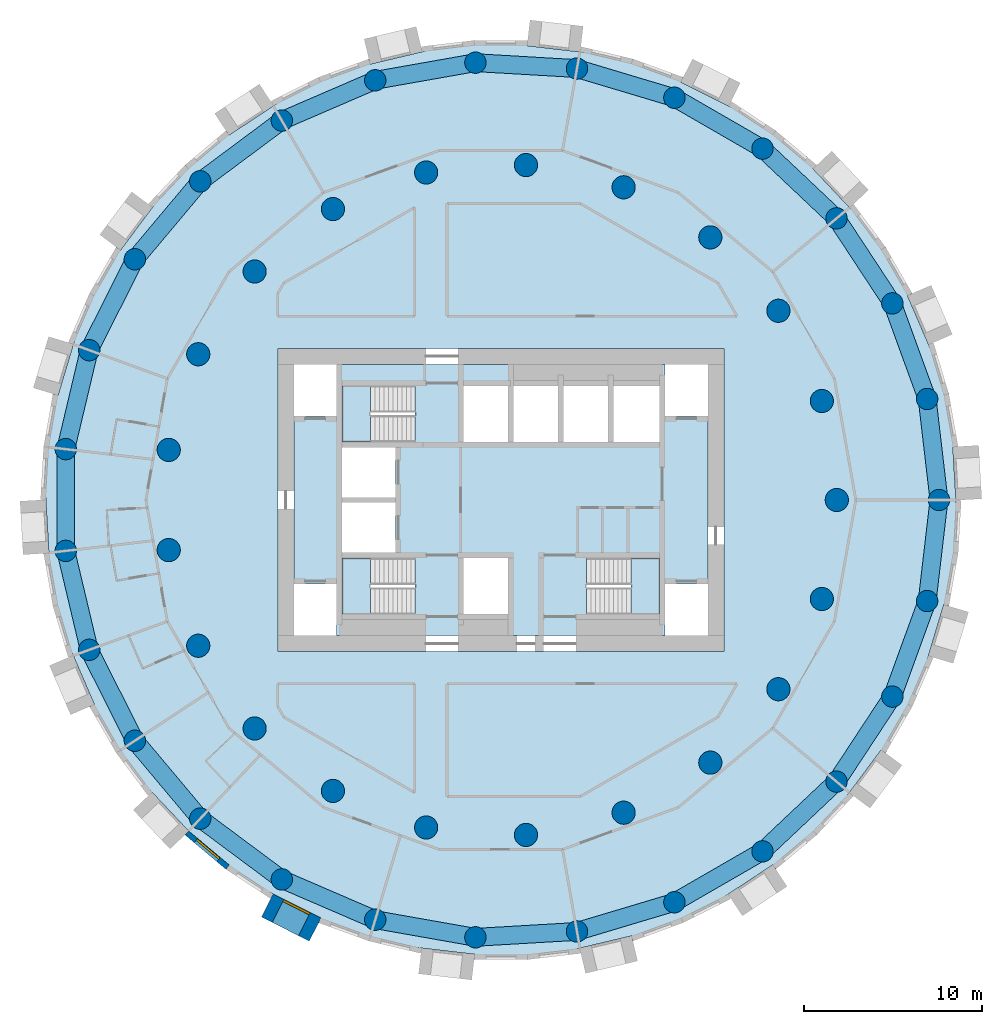
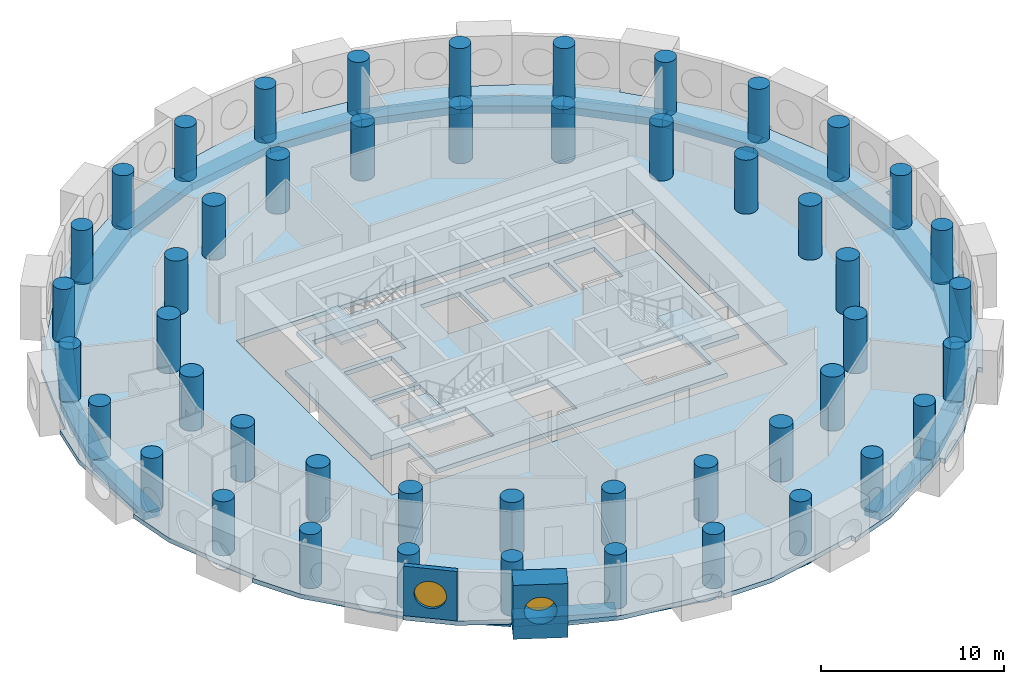
# One storey, part 1 of 9: 48 columns, 27 beams, 5 slabs, 2 walls, 2 windows, 2 openings, 3 elements without a shape of their own.
"""IFC4 building model written with IfcOpenShell, lengths in metres."""

from ifc_helpers import new_model, si_unit, direction, frame, frame_2d, origin, origin_2d, place, context, subcontext, project, spatial, polyline, rectangle, circle, outline, extrude, material, layer, layer_set, material_profile, profile_set, type_object, element, fill, aggregate, save


model = new_model("IFC4")

# Units and contexts
model_context = context("Model", 3, precision=1e-05, world=origin(), true_north=direction((0.0, 1.0)))
body_context = subcontext(model_context, "Body", "Model", "MODEL_VIEW")
ifc_project = project(units=[si_unit("LENGTHUNIT", "METRE"), si_unit("AREAUNIT", "SQUARE_METRE"), si_unit("VOLUMEUNIT", "CUBIC_METRE"), si_unit("PLANEANGLEUNIT", "RADIAN"), si_unit("MASSUNIT", "GRAM", prefix="KILO")], contexts=[model_context])

# Site, building, storey
site_placement = place(None, origin())
site = spatial("IfcSite", under=ifc_project, at=site_placement, CompositionType="ELEMENT")
building_placement = place(site_placement, origin())
building = spatial("IfcBuilding", under=site, at=building_placement, Name="Tracery Tower", CompositionType="ELEMENT")
storey_placement = place(building_placement, frame((0.0, 0.0, 201.60009765625)))
storey = spatial("IfcBuildingStorey", under=building, at=storey_placement, Name="L52", CompositionType="ELEMENT", Elevation=201.60009765625)

# Columns
ifc_material_1 = material(Name="Concrete C50/60", Category="concrete")
ifc_material_profile_1 = material_profile(ifc_material_1, circle(Radius=0.60009765625, at=origin_2d()), Name="RC D1200")
ifc_profile_set_1 = profile_set([ifc_material_profile_1], Name="Concrete C50/60")
column_type_1 = type_object("IfcColumnType", Name="Ring 1 column 1200", PredefinedType="COLUMN", material=ifc_profile_set_1)
for number, where, z_axis, x_axis, name in (
    (1, (24.547607421875, 0.0, 0.0), (0.0, 0.0, 1.0), (1.0, 0.0, 0.0), "Ring 1 column 00 at L52"),
    (2, (23.885986328125, 5.6611328125, 0.0), (0.0, 0.0, 1.0), (1.0, 0.0, 0.0), "Ring 1 column 01 at L52"),
    (3, (21.9365234375, 11.01708984375, 0.0), (0.0, 0.0, 1.0), (1.0, 0.0, 0.0), "Ring 1 column 02 at L52"),
    (4, (18.8046875, 15.779052734375, 0.0), (0.0, 0.0, 1.0), (1.0, 0.0, 0.0), "Ring 1 column 03 at L52"),
    (5, (14.658935546875, 19.690185546875, 0.0), (0.0, 0.0, 1.0), (1.0, 0.0, 0.0), "Ring 1 column 04 at L52"),
    (6, (9.722900390625, 22.5400390625, 0.0), (0.0, 0.0, 1.0), (1.0, 0.0, 0.0), "Ring 1 column 05 at L52"),
    (7, (4.2626953125, 24.1748046875, 0.0), (0.0, 0.0, 1.0), (1.0, 0.0, 0.0), "Ring 1 column 06 at L52"),
    (8, (-1.42724609375, 24.506103515625, 0.0), (0.0, 0.0, 1.0), (1.0, 0.0, 0.0), "Ring 1 column 07 at L52"),
    (9, (-7.040283203125, 23.516357421875, 0.0), (0.0, 0.0, 1.0), (1.0, 0.0, 0.0), "Ring 1 column 08 at L52"),
    (10, (-12.273681640625, 21.2587890625, 0.0), (0.0, 0.0, 1.0), (1.0, 0.0, 0.0), "Ring 1 column 09 at L52"),
    (11, (-16.845703125, 17.855224609375, 0.0), (0.0, 0.0, 1.0), (1.0, 0.0, 0.0), "Ring 1 column 10 at L52"),
    (12, (-20.50927734375, 13.4892578125, 0.0), (0.0, 0.0, 1.0), (1.0, 0.0, 0.0), "Ring 1 column 11 at L52"),
    (13, (-23.0673828125, 8.395751953125, 0.0), (0.0, 0.0, 1.0), (1.0, 0.0, 0.0), "Ring 1 column 12 at L52"),
    (14, (-24.381591796875, 2.849853515625, 0.0), (0.0, 0.0, 1.0), (1.0, 0.0, 0.0), "Ring 1 column 13 at L52"),
    (15, (-24.381591796875, -2.849853515625, 0.0), (0.0, 0.0, 1.0), (1.0, 0.0, 0.0), "Ring 1 column 14 at L52"),
    (16, (-23.0673828125, -8.395751953125, 0.0), (0.0, 0.0, 1.0), (1.0, 0.0, 0.0), "Ring 1 column 15 at L52"),
    (17, (-20.50927734375, -13.4892578125, 0.0), (0.0, 0.0, 1.0), (1.0, 0.0, 0.0), "Ring 1 column 16 at L52"),
    (18, (-16.845703125, -17.85546875, 0.0), (0.0, 0.0, 1.0), (1.0, 0.0, 0.0), "Ring 1 column 17 at L52"),
    (19, (-12.27392578125, -21.2587890625, 0.0), (0.0, 0.0, 1.0), (1.0, 0.0, 0.0), "Ring 1 column 18 at L52"),
    (20, (-7.040283203125, -23.516357421875, 0.0), (0.0, 0.0, 1.0), (1.0, 0.0, 0.0), "Ring 1 column 19 at L52"),
    (21, (-1.42724609375, -24.506103515625, 0.0), (0.0, 0.0, 1.0), (1.0, 0.0, 0.0), "Ring 1 column 20 at L52"),
    (22, (4.2626953125, -24.1748046875, 0.0), (0.0, 0.0, 1.0), (1.0, 0.0, 0.0), "Ring 1 column 21 at L52"),
    (23, (9.722900390625, -22.5400390625, 0.0), (0.0, 0.0, 1.0), (1.0, 0.0, 0.0), "Ring 1 column 22 at L52"),
    (24, (14.658935546875, -19.690185546875, 0.0), (0.0, 0.0, 1.0), (1.0, 0.0, 0.0), "Ring 1 column 23 at L52"),
    (25, (18.8046875, -15.779052734375, 0.0), (0.0, 0.0, 1.0), (1.0, 0.0, 0.0), "Ring 1 column 24 at L52"),
    (26, (21.9365234375, -11.01708984375, 0.0), (0.0, 0.0, 1.0), (1.0, 0.0, 0.0), "Ring 1 column 25 at L52"),
    (27, (23.885986328125, -5.6611328125, 0.0), (0.0, 0.0, 1.0), (1.0, 0.0, 0.0), "Ring 1 column 26 at L52"),
):
    element("IfcColumn", number, at=place(storey_placement, frame(where, z_axis=z_axis, x_axis=x_axis)), inside=storey, type_object=column_type_1, Name=name, PredefinedType="COLUMN", context=body_context, shape_type="SweptSolid", body=[
        extrude(circle(Radius=0.60009765625, at=origin_2d()), origin(), (0.0, 0.0, 1.0), 3.599853515625),
    ])
ifc_material_2 = material(Name="Concrete C50/60", Category="concrete")
ifc_material_profile_2 = material_profile(ifc_material_2, circle(Radius=0.64990234375, at=origin_2d()), Name="RC D1300")
ifc_profile_set_2 = profile_set([ifc_material_profile_2], Name="Concrete C50/60")
column_type_2 = type_object("IfcColumnType", Name="Ring 2 column 1300", PredefinedType="COLUMN", material=ifc_profile_set_2)
for number, where, z_axis, x_axis, name in (
    (28, (18.822265625, 0.0, 0.0), (0.0, 0.0, 1.0), (1.0, 0.0, 0.0), "Ring 2 column 00 at L52"),
    (29, (17.986083984375, 5.5478515625, 0.0), (0.0, 0.0, 1.0), (1.0, 0.0, 0.0), "Ring 2 column 01 at L52"),
    (30, (15.551513671875, 10.602783203125, 0.0), (0.0, 0.0, 1.0), (1.0, 0.0, 0.0), "Ring 2 column 02 at L52"),
    (31, (11.7353515625, 14.7158203125, 0.0), (0.0, 0.0, 1.0), (1.0, 0.0, 0.0), "Ring 2 column 03 at L52"),
    (32, (6.87646484375, 17.52099609375, 0.0), (0.0, 0.0, 1.0), (1.0, 0.0, 0.0), "Ring 2 column 04 at L52"),
    (33, (1.406494140625, 18.76953125, 0.0), (0.0, 0.0, 1.0), (1.0, 0.0, 0.0), "Ring 2 column 05 at L52"),
    (34, (-4.188232421875, 18.350341796875, 0.0), (0.0, 0.0, 1.0), (1.0, 0.0, 0.0), "Ring 2 column 06 at L52"),
    (35, (-9.4111328125, 16.300537109375, 0.0), (0.0, 0.0, 1.0), (1.0, 0.0, 0.0), "Ring 2 column 07 at L52"),
    (36, (-13.797607421875, 12.802490234375, 0.0), (0.0, 0.0, 1.0), (1.0, 0.0, 0.0), "Ring 2 column 08 at L52"),
    (37, (-16.958251953125, 8.16650390625, 0.0), (0.0, 0.0, 1.0), (1.0, 0.0, 0.0), "Ring 2 column 09 at L52"),
    (38, (-18.612060546875, 2.805419921875, 0.0), (0.0, 0.0, 1.0), (1.0, 0.0, 0.0), "Ring 2 column 10 at L52"),
    (39, (-18.612060546875, -2.805419921875, 0.0), (0.0, 0.0, 1.0), (1.0, 0.0, 0.0), "Ring 2 column 11 at L52"),
    (40, (-16.958251953125, -8.166748046875, 0.0), (0.0, 0.0, 1.0), (1.0, 0.0, 0.0), "Ring 2 column 12 at L52"),
    (41, (-13.797607421875, -12.80224609375, 0.0), (0.0, 0.0, 1.0), (1.0, 0.0, 0.0), "Ring 2 column 13 at L52"),
    (42, (-9.4111328125, -16.300537109375, 0.0), (0.0, 0.0, 1.0), (1.0, 0.0, 0.0), "Ring 2 column 14 at L52"),
    (43, (-4.188232421875, -18.350341796875, 0.0), (0.0, 0.0, 1.0), (1.0, 0.0, 0.0), "Ring 2 column 15 at L52"),
    (44, (1.406494140625, -18.76953125, 0.0), (0.0, 0.0, 1.0), (1.0, 0.0, 0.0), "Ring 2 column 16 at L52"),
    (45, (6.87646484375, -17.52099609375, 0.0), (0.0, 0.0, 1.0), (1.0, 0.0, 0.0), "Ring 2 column 17 at L52"),
    (46, (11.7353515625, -14.7158203125, 0.0), (0.0, 0.0, 1.0), (1.0, 0.0, 0.0), "Ring 2 column 18 at L52"),
    (47, (15.551513671875, -10.602783203125, 0.0), (0.0, 0.0, 1.0), (1.0, 0.0, 0.0), "Ring 2 column 19 at L52"),
    (48, (17.986083984375, -5.5478515625, 0.0), (0.0, 0.0, 1.0), (1.0, 0.0, 0.0), "Ring 2 column 20 at L52"),
):
    element("IfcColumn", number, at=place(storey_placement, frame(where, z_axis=z_axis, x_axis=x_axis)), inside=storey, type_object=column_type_2, Name=name, PredefinedType="COLUMN", context=body_context, shape_type="SweptSolid", body=[
        extrude(circle(Radius=0.64990234375, at=origin_2d()), origin(), (0.0, 0.0, 1.0), 3.599853515625),
    ])

# Beams
ifc_material_3 = material(Name="Concrete C50/60", Category="concrete")
ifc_material_profile_3 = material_profile(ifc_material_3, rectangle(XDim=1.0, YDim=0.5, at=origin_2d()), Name="RC 1000x500")
ifc_profile_set_3 = profile_set([ifc_material_profile_3], Name="Concrete C50/60")
beam_type = type_object("IfcBeamType", Name="Perimeter band beam 1000x500", PredefinedType="BEAM", material=ifc_profile_set_3)
for number, where, z_axis, x_axis, name in (
    (49, (24.547607421875, 0.0, -0.550048828125), (-0.116080723252, 0.993239782575, 0.0), (-0.993239782575, -0.116080723252, 0.0), "Perimeter beam 1.00 under L52"),
    (50, (23.885986328125, 5.6611328125, -0.550048828125), (-0.342028502279, 0.939689578334, 0.0), (-0.939689578334, -0.342028502279, 0.0), "Perimeter beam 1.01 under L52"),
):
    element("IfcBeam", number, at=place(storey_placement, frame(where, z_axis=z_axis, x_axis=x_axis)), inside=storey, type_object=beam_type, Name=name, PredefinedType="BEAM", context=body_context, shape_type="SweptSolid", body=[
        extrude(rectangle(XDim=1.0, YDim=0.5, at=origin_2d()), origin(), (0.0, 0.0, 1.0), 5.69970703125),
    ])
for number, where, z_axis, x_axis, name in (
    (51, (21.9365234375, 11.01708984375, -0.550048828125), (-0.549489832182, 0.835500403548, 0.0), (-0.835500403548, -0.549489832182, 0.0), "Perimeter beam 1.02 under L52"),
    (52, (18.8046875, 15.779052734375, -0.550048828125), (-0.727389618263, 0.686224703172, 0.0), (-0.686224703172, -0.727389618263, 0.0), "Perimeter beam 1.03 under L52"),
):
    element("IfcBeam", number, at=place(storey_placement, frame(where, z_axis=z_axis, x_axis=x_axis)), inside=storey, type_object=beam_type, Name=name, PredefinedType="BEAM", context=body_context, shape_type="SweptSolid", body=[
        extrude(rectangle(XDim=1.0, YDim=0.5, at=origin_2d()), origin(), (0.0, 0.0, 1.0), 5.699462890625),
    ])
for number, where, z_axis, x_axis, name in (
    (53, (14.658935546875, 19.690185546875, -0.550048828125), (-0.866022950691, 0.500004248858, 0.0), (-0.500004248858, -0.866022950691, 0.0), "Perimeter beam 1.04 under L52"),
    (54, (9.722900390625, 22.5400390625, -0.550048828125), (-0.957985292634, 0.28681732705, 0.0), (-0.28681732705, -0.957985292634, 0.0), "Perimeter beam 1.05 under L52"),
):
    element("IfcBeam", number, at=place(storey_placement, frame(where, z_axis=z_axis, x_axis=x_axis)), inside=storey, type_object=beam_type, Name=name, PredefinedType="BEAM", context=body_context, shape_type="SweptSolid", body=[
        extrude(rectangle(XDim=1.0, YDim=0.5, at=origin_2d()), origin(), (0.0, 0.0, 1.0), 5.69970703125),
    ])
beam_1_placement = place(storey_placement, frame((4.2626953125, 24.1748046875, -0.550048828125), z_axis=(-0.99830920221, 0.058126902403, 0.0), x_axis=(-0.058126902403, -0.99830920221, 0.0)))
element("IfcBeam", 55, at=beam_1_placement, inside=storey, type_object=beam_type, Name="Perimeter beam 1.06 under L52", PredefinedType="BEAM", context=body_context, shape_type="SweptSolid", body=[
    extrude(rectangle(XDim=1.0, YDim=0.5, at=origin_2d()), origin(), (0.0, 0.0, 1.0), 5.699462890625),
])
beam_2_placement = place(storey_placement, frame((-1.42724609375, 24.506103515625, -0.550048828125), z_axis=(-0.984807266719, -0.173650935552, 0.0), x_axis=(0.173650935552, -0.984807266719, 0.0)))
element("IfcBeam", 56, at=beam_2_placement, inside=storey, type_object=beam_type, Name="Perimeter beam 1.07 under L52", PredefinedType="BEAM", context=body_context, shape_type="SweptSolid", body=[
    extrude(rectangle(XDim=1.0, YDim=0.5, at=origin_2d()), origin(), (0.0, 0.0, 1.0), 5.69970703125),
])
beam_3_placement = place(storey_placement, frame((-7.040283203125, 23.516357421875, -0.550048828125), z_axis=(-0.918209685525, -0.396094652083, 0.0), x_axis=(0.396094652083, -0.918209685525, 0.0)))
element("IfcBeam", 57, at=beam_3_placement, inside=storey, type_object=beam_type, Name="Perimeter beam 1.08 under L52", PredefinedType="BEAM", context=body_context, shape_type="SweptSolid", body=[
    extrude(rectangle(XDim=1.0, YDim=0.5, at=origin_2d()), origin(), (0.0, 0.0, 1.0), 5.699462890625),
])
beam_4_placement = place(storey_placement, frame((-12.273681640625, 21.2587890625, -0.550048828125), z_axis=(-0.802138271299, -0.59713833717, 0.0), x_axis=(0.59713833717, -0.802138271299, 0.0)))
element("IfcBeam", 58, at=beam_4_placement, inside=storey, type_object=beam_type, Name="Perimeter beam 1.09 under L52", PredefinedType="BEAM", context=body_context, shape_type="SweptSolid", body=[
    extrude(rectangle(XDim=1.0, YDim=0.5, at=origin_2d()), origin(), (0.0, 0.0, 1.0), 5.69970703125),
])
beam_5_placement = place(storey_placement, frame((-16.845703125, 17.855224609375, -0.550048828125), z_axis=(-0.642797194343, -0.766036400535, 0.0), x_axis=(0.766036400535, -0.642797194343, 0.0)))
element("IfcBeam", 59, at=beam_5_placement, inside=storey, type_object=beam_type, Name="Perimeter beam 1.10 under L52", PredefinedType="BEAM", context=body_context, shape_type="SweptSolid", body=[
    extrude(rectangle(XDim=1.0, YDim=0.5, at=origin_2d()), origin(), (0.0, 0.0, 1.0), 5.699462890625),
])
beam_6_placement = place(storey_placement, frame((-20.50927734375, 13.4892578125, -0.550048828125), z_axis=(-0.448806280933, -0.893629074166, 0.0), x_axis=(0.893629074166, -0.448806280933, 0.0)))
element("IfcBeam", 60, at=beam_6_placement, inside=storey, type_object=beam_type, Name="Perimeter beam 1.11 under L52", PredefinedType="BEAM", context=body_context, shape_type="SweptSolid", body=[
    extrude(rectangle(XDim=1.0, YDim=0.5, at=origin_2d()), origin(), (0.0, 0.0, 1.0), 5.69970703125),
])
beam_7_placement = place(storey_placement, frame((-23.0673828125, 8.395751953125, -0.550048828125), z_axis=(-0.230583793756, -0.973052472407, 0.0), x_axis=(0.973052472407, -0.230583793756, 0.0)))
element("IfcBeam", 61, at=beam_7_placement, inside=storey, type_object=beam_type, Name="Perimeter beam 1.12 under L52", PredefinedType="BEAM", context=body_context, shape_type="SweptSolid", body=[
    extrude(rectangle(XDim=1.0, YDim=0.5, at=origin_2d()), origin(), (0.0, 0.0, 1.0), 5.699462890625),
])
beam_8_placement = place(storey_placement, frame((-24.381591796875, 2.849853515625, -0.550048828125), z_axis=(0.0, -1.0, 0.0), x_axis=(1.0, 0.0, 0.0)))
element("IfcBeam", 62, at=beam_8_placement, inside=storey, type_object=beam_type, Name="Perimeter beam 1.13 under L52", PredefinedType="BEAM", context=body_context, shape_type="SweptSolid", body=[
    extrude(rectangle(XDim=1.0, YDim=0.5, at=origin_2d()), origin(), (0.0, 0.0, 1.0), 5.69970703125),
])
beam_9_placement = place(storey_placement, frame((-24.381591796875, -2.849853515625, -0.550048828125), z_axis=(0.230583793756, -0.973052472407, 0.0), x_axis=(0.973052472407, 0.230583793756, 0.0)))
element("IfcBeam", 63, at=beam_9_placement, inside=storey, type_object=beam_type, Name="Perimeter beam 1.14 under L52", PredefinedType="BEAM", context=body_context, shape_type="SweptSolid", body=[
    extrude(rectangle(XDim=1.0, YDim=0.5, at=origin_2d()), origin(), (0.0, 0.0, 1.0), 5.699462890625),
])
for number, where, z_axis, x_axis, name in (
    (64, (-23.0673828125, -8.395751953125, -0.550048828125), (0.448806280933, -0.893629074166, 0.0), (0.893629074166, 0.448806280933, 0.0), "Perimeter beam 1.15 under L52"),
    (65, (-20.50927734375, -13.4892578125, -0.550048828125), (0.64277610208, -0.766054099, 0.0), (0.766054099, 0.64277610208, 0.0), "Perimeter beam 1.16 under L52"),
):
    element("IfcBeam", number, at=place(storey_placement, frame(where, z_axis=z_axis, x_axis=x_axis)), inside=storey, type_object=beam_type, Name=name, PredefinedType="BEAM", context=body_context, shape_type="SweptSolid", body=[
        extrude(rectangle(XDim=1.0, YDim=0.5, at=origin_2d()), origin(), (0.0, 0.0, 1.0), 5.69970703125),
    ])
beam_10_placement = place(storey_placement, frame((-16.845703125, -17.85546875, -0.550048828125), z_axis=(0.802143514942, -0.597131293298, 0.0), x_axis=(0.597131293298, 0.802143514942, 0.0)))
element("IfcBeam", 66, at=beam_10_placement, inside=storey, type_object=beam_type, Name="Perimeter beam 1.17 under L52", PredefinedType="BEAM", context=body_context, shape_type="SweptSolid", body=[
    extrude(rectangle(XDim=1.0, YDim=0.5, at=origin_2d()), origin(), (0.0, 0.0, 1.0), 5.699462890625),
])
for number, where, z_axis, x_axis, name in (
    (67, (-12.27392578125, -21.2587890625, -0.550048828125), (0.918216405543, -0.39607907366, 0.0), (0.39607907366, 0.918216405543, 0.0), "Perimeter beam 1.18 under L52"),
    (68, (-7.040283203125, -23.516357421875, -0.550048828125), (0.984807266719, -0.173650935552, 0.0), (0.173650935552, 0.984807266719, 0.0), "Perimeter beam 1.19 under L52"),
):
    element("IfcBeam", number, at=place(storey_placement, frame(where, z_axis=z_axis, x_axis=x_axis)), inside=storey, type_object=beam_type, Name=name, PredefinedType="BEAM", context=body_context, shape_type="SweptSolid", body=[
        extrude(rectangle(XDim=1.0, YDim=0.5, at=origin_2d()), origin(), (0.0, 0.0, 1.0), 5.69970703125),
    ])
beam_11_placement = place(storey_placement, frame((-1.42724609375, -24.506103515625, -0.550048828125), z_axis=(0.99830920221, 0.058126902403, 0.0), x_axis=(-0.058126902403, 0.99830920221, 0.0)))
element("IfcBeam", 69, at=beam_11_placement, inside=storey, type_object=beam_type, Name="Perimeter beam 1.20 under L52", PredefinedType="BEAM", context=body_context, shape_type="SweptSolid", body=[
    extrude(rectangle(XDim=1.0, YDim=0.5, at=origin_2d()), origin(), (0.0, 0.0, 1.0), 5.699462890625),
])
for number, where, z_axis, x_axis, name in (
    (70, (4.2626953125, -24.1748046875, -0.550048828125), (0.957985292634, 0.28681732705, 0.0), (-0.28681732705, 0.957985292634, 0.0), "Perimeter beam 1.21 under L52"),
    (71, (9.722900390625, -22.5400390625, -0.550048828125), (0.866022950691, 0.500004248858, 0.0), (-0.500004248858, 0.866022950691, 0.0), "Perimeter beam 1.22 under L52"),
):
    element("IfcBeam", number, at=place(storey_placement, frame(where, z_axis=z_axis, x_axis=x_axis)), inside=storey, type_object=beam_type, Name=name, PredefinedType="BEAM", context=body_context, shape_type="SweptSolid", body=[
        extrude(rectangle(XDim=1.0, YDim=0.5, at=origin_2d()), origin(), (0.0, 0.0, 1.0), 5.69970703125),
    ])
for number, where, z_axis, x_axis, name in (
    (72, (14.658935546875, -19.690185546875, -0.550048828125), (0.727389618263, 0.686224703172, 0.0), (-0.686224703172, 0.727389618263, 0.0), "Perimeter beam 1.23 under L52"),
    (73, (18.8046875, -15.779052734375, -0.550048828125), (0.549489832182, 0.835500403548, 0.0), (-0.835500403548, 0.549489832182, 0.0), "Perimeter beam 1.24 under L52"),
):
    element("IfcBeam", number, at=place(storey_placement, frame(where, z_axis=z_axis, x_axis=x_axis)), inside=storey, type_object=beam_type, Name=name, PredefinedType="BEAM", context=body_context, shape_type="SweptSolid", body=[
        extrude(rectangle(XDim=1.0, YDim=0.5, at=origin_2d()), origin(), (0.0, 0.0, 1.0), 5.699462890625),
    ])
for number, where, z_axis, x_axis, name in (
    (74, (21.9365234375, -11.01708984375, -0.550048828125), (0.342028502279, 0.939689578334, 0.0), (-0.939689578334, 0.342028502279, 0.0), "Perimeter beam 1.25 under L52"),
    (75, (23.885986328125, -5.6611328125, -0.550048828125), (0.116080723252, 0.993239782575, 0.0), (-0.993239782575, 0.116080723252, 0.0), "Perimeter beam 1.26 under L52"),
):
    element("IfcBeam", number, at=place(storey_placement, frame(where, z_axis=z_axis, x_axis=x_axis)), inside=storey, type_object=beam_type, Name=name, PredefinedType="BEAM", context=body_context, shape_type="SweptSolid", body=[
        extrude(rectangle(XDim=1.0, YDim=0.5, at=origin_2d()), origin(), (0.0, 0.0, 1.0), 5.69970703125),
    ])

# Slabs
ifc_material_4 = material(Name="Concrete C50/60", Category="concrete")
ifc_layer_1 = layer(ifc_material_4, 0.300048828125)
ifc_layer_set_1 = layer_set([ifc_layer_1], Name="Core floor slab 300 C50")
slab_type_1 = type_object("IfcSlabType", Name="Core floor slab 300 C50", PredefinedType="FLOOR", material=ifc_layer_set_1)
slab_1_placement = place(storey_placement, frame((0.0, 0.0, -0.300048828125)))
element("IfcSlab", 76, at=slab_1_placement, inside=storey, type_object=slab_type_1, Name="L52 core floor 1", PredefinedType="FLOOR", context=body_context, shape_type="SweptSolid", body=[
    extrude(outline(polyline([(-9.199951171875, 7.60009765625), (9.199951171875, 7.60009765625), (9.199951171875, 4.699951171875), (11.60009765625, 4.699951171875), (11.60009765625, -4.699951171875), (9.199951171875, -4.699951171875), (9.199951171875, -7.60009765625), (-9.199951171875, -7.60009765625), (-9.199951171875, -4.699951171875), (-11.60009765625, -4.699951171875), (-11.60009765625, 4.699951171875), (-9.199951171875, 4.699951171875), (-9.199951171875, 7.60009765625)]), holes=[polyline([(4.800537109375, -6.39990234375), (8.89990234375, -6.39990234375), (8.89990234375, -3.25), (4.800537109375, -3.25), (4.800537109375, -6.39990234375)]), polyline([(8.89990234375, 3.25), (8.89990234375, 6.39990234375), (6.300048828125, 6.39990234375), (6.300048828125, 3.25), (8.89990234375, 3.25)]), polyline([(6.0, 3.25), (6.0, 6.39990234375), (3.5, 6.39990234375), (3.5, 3.25), (6.0, 3.25)]), polyline([(3.199951171875, 3.25), (3.199951171875, 6.39990234375), (0.699951171875, 6.39990234375), (0.699951171875, 3.25), (3.199951171875, 3.25)]), polyline([(-2.10009765625, 3.25), (0.39990234375, 3.25), (0.39990234375, 6.39990234375), (-2.10009765625, 6.39990234375), (-2.10009765625, 3.25)]), polyline([(0.39990234375, -6.39990234375), (0.39990234375, -3.25), (-2.10009765625, -3.25), (-2.10009765625, -6.39990234375), (0.39990234375, -6.39990234375)]), polyline([(-4.800537109375, -3.25), (-8.89990234375, -3.25), (-8.89990234375, -6.39990234375), (-4.800537109375, -6.39990234375), (-4.800537109375, -3.25)]), polyline([(-4.800537109375, 6.39990234375), (-8.89990234375, 6.39990234375), (-8.89990234375, 3.25), (-4.800537109375, 3.25), (-4.800537109375, 6.39990234375)]), polyline([(-5.89990234375, -2.949951171875), (-5.89990234375, -0.14990234375), (-8.89990234375, -0.14990234375), (-8.89990234375, -2.949951171875), (-5.89990234375, -2.949951171875)]), polyline([(-5.89990234375, 0.14990234375), (-5.89990234375, 2.949951171875), (-8.89990234375, 2.949951171875), (-8.89990234375, 0.14990234375), (-5.89990234375, 0.14990234375)])]), origin(), (0.0, 0.0, 1.0), 0.300048828125),
])
ifc_material_5 = material(Name="Concrete C40/50", Category="concrete")
ifc_layer_2 = layer(ifc_material_5, 0.300048828125)
ifc_layer_set_2 = layer_set([ifc_layer_2], Name="Floor slab 300")
slab_type_2 = type_object("IfcSlabType", Name="Floor slab 300", PredefinedType="FLOOR", material=ifc_layer_set_2)
slab_2_placement = place(storey_placement, frame((0.0, 0.0, -0.300048828125)))
element("IfcSlab", 77, at=slab_2_placement, inside=storey, type_object=slab_type_2, Name="Floor slab L52", PredefinedType="FLOOR", context=body_context, shape_type="SweptSolid", body=[
    extrude(outline(polyline([(22.78515625, 11.443115234375), (22.7783203125, 11.459228515625), (23.0537109375, 11.577880859375), (21.5537109375, 14.176025390625), (19.533203125, 16.387939453125), (18.208740234375, 17.791748046875), (17.497314453125, 18.5458984375), (17.497314453125, 18.5458984375), (17.485107421875, 18.55859375), (17.70361328125, 18.7646484375), (15.4052734375, 20.69287109375), (12.74853515625, 22.081298828125), (10.098876953125, 23.411865234375), (10.098876953125, 23.411865234375), (10.083251953125, 23.419921875), (10.217529296875, 23.68701171875), (10.218017578125, 23.68798828125), (7.39892578125, 24.7138671875), (4.427490234375, 25.10986328125), (3.055908203125, 25.27001953125), (1.465087890625, 25.4560546875), (1.5, 25.75390625), (1.5, 25.754150390625), (-1.5, 25.754150390625), (-4.427490234375, 25.10986328125), (-7.312744140625, 24.426025390625), (-7.312744140625, 24.426025390625), (-7.32958984375, 24.422119140625), (-7.398681640625, 24.713134765625), (-7.39892578125, 24.7138671875), (-10.218017578125, 23.68798828125), (-12.74853515625, 22.081298828125), (-13.4443359375, 21.623779296875), (-15.240478515625, 20.4423828125), (-15.4052734375, 20.69287109375), (-15.4052734375, 20.69287109375), (-17.70361328125, 18.7646484375), (-19.531005859375, 16.390625), (-20.657958984375, 14.876953125), (-21.302490234375, 14.010986328125), (-21.302490234375, 14.010986328125), (-21.31298828125, 13.996826171875), (-21.5537109375, 14.176025390625), (-23.0537109375, 11.577880859375), (-23.95947265625, 8.720703125), (-24.694580078125, 6.265380859375), (-24.81494140625, 5.86328125), (-25.102294921875, 5.949462890625), (-25.623291015625, 2.994873046875), (-25.497314453125, 0.00048828125), (-25.32373046875, -2.9775390625), (-25.623291015625, -2.994873046875), (-25.102294921875, -5.949462890625), (-23.95947265625, -8.720703125), (-22.78515625, -11.443115234375), (-22.78515625, -11.443115234375), (-22.7783203125, -11.459228515625), (-23.0537109375, -11.577880859375), (-21.5537109375, -14.176025390625), (-19.533203125, -16.387939453125), (-18.208740234375, -17.791748046875), (-17.497314453125, -18.5458984375), (-17.497314453125, -18.5458984375), (-17.485107421875, -18.55859375), (-17.70361328125, -18.7646484375), (-15.4052734375, -20.69287109375), (-12.74853515625, -22.081298828125), (-10.098876953125, -23.411865234375), (-10.098876953125, -23.411865234375), (-10.083251953125, -23.419921875), (-10.217529296875, -23.68701171875), (-10.218017578125, -23.68798828125), (-7.39892578125, -24.7138671875), (-4.427490234375, -25.10986328125), (-3.055908203125, -25.27001953125), (-1.465087890625, -25.4560546875), (-1.5, -25.75390625), (-1.5, -25.754150390625), (1.5, -25.754150390625), (4.427490234375, -25.10986328125), (7.312744140625, -24.426025390625), (7.312744140625, -24.426025390625), (7.32958984375, -24.422119140625), (7.398681640625, -24.713134765625), (7.39892578125, -24.7138671875), (10.218017578125, -23.68798828125), (12.74853515625, -22.081298828125), (13.4443359375, -21.623779296875), (15.240478515625, -20.4423828125), (15.4052734375, -20.69287109375), (15.4052734375, -20.69287109375), (17.70361328125, -18.7646484375), (19.531005859375, -16.390625), (20.657958984375, -14.876953125), (21.302490234375, -14.010986328125), (21.302490234375, -14.010986328125), (21.31298828125, -13.996826171875), (21.5537109375, -14.176025390625), (23.0537109375, -11.577880859375), (23.95947265625, -8.720703125), (24.694580078125, -6.265380859375), (24.81494140625, -5.86328125), (25.102294921875, -5.949462890625), (25.623291015625, -2.994873046875), (25.497314453125, -0.00048828125), (25.32373046875, 2.9775390625), (25.623291015625, 2.994873046875), (25.102294921875, 5.949462890625), (23.95947265625, 8.720703125), (22.78515625, 11.443115234375), (22.78515625, 11.443115234375)]), holes=[polyline([(-12.5, -8.5), (12.5, -8.5), (12.5, 8.5), (-12.5, 8.5), (-12.5, -8.5)])]), origin(), (0.0, 0.0, 1.0), 0.300048828125),
])

# Stair, slab
ifc_material_6 = material(Name="Concrete C32/40", Category="concrete")
stair_type = type_object("IfcStairType", Name="Core stair 22 risers", PredefinedType="HALF_TURN_STAIR", material=ifc_material_6)
stair_1_placement = place(storey_placement, origin())
stair_1 = element("IfcStair", 78, at=stair_1_placement, inside=storey, type_object=stair_type, Name="L52 stair ST1", PredefinedType="HALF_TURN_STAIR")
ifc_material_7 = material(Name="Concrete C32/40", Category="concrete")
ifc_layer_3 = layer(ifc_material_7, 0.199951171875)
ifc_layer_set_3 = layer_set([ifc_layer_3], Name="Stair landing slab 200")
slab_type_3 = type_object("IfcSlabType", Name="Stair landing slab 200", PredefinedType="LANDING", material=ifc_layer_set_3)
slab_3_placement = place(storey_placement, frame((0.0, 0.0, 1.599853515625)))
slab_3 = element("IfcSlab", 79, at=slab_3_placement, type_object=slab_type_3, Name="ST1 landing 1", PredefinedType="LANDING", context=body_context, shape_type="SweptSolid", body=[
    extrude(outline(polyline([(-7.29931640625, -3.25), (-8.89990234375, -3.25), (-8.89990234375, -6.39990234375), (-7.29931640625, -6.39990234375), (-7.29931640625, -3.25)])), origin(), (0.0, 0.0, 1.0), 0.199951171875),
])
aggregate(stair_1, [slab_3])

stair_2_placement = place(storey_placement, origin())
stair_2 = element("IfcStair", 80, at=stair_2_placement, inside=storey, type_object=stair_type, Name="L52 stair ST3", PredefinedType="HALF_TURN_STAIR")
slab_4_placement = place(storey_placement, frame((0.0, 0.0, 1.599853515625)))
slab_4 = element("IfcSlab", 81, at=slab_4_placement, type_object=slab_type_3, Name="ST3 landing 1", PredefinedType="LANDING", context=body_context, shape_type="SweptSolid", body=[
    extrude(outline(polyline([(-7.29931640625, 6.39990234375), (-8.89990234375, 6.39990234375), (-8.89990234375, 3.25), (-7.29931640625, 3.25), (-7.29931640625, 6.39990234375)])), origin(), (0.0, 0.0, 1.0), 0.199951171875),
])
aggregate(stair_2, [slab_4])

stair_3_placement = place(storey_placement, origin())
stair_3 = element("IfcStair", 82, at=stair_3_placement, inside=storey, type_object=stair_type, Name="L52 stair ST2", PredefinedType="HALF_TURN_STAIR")
slab_5_placement = place(storey_placement, frame((0.0, 0.0, 1.599853515625)))
slab_5 = element("IfcSlab", 83, at=slab_5_placement, type_object=slab_type_3, Name="ST2 landing 1", PredefinedType="LANDING", context=body_context, shape_type="SweptSolid", body=[
    extrude(outline(polyline([(7.29931640625, -6.39990234375), (8.89990234375, -6.39990234375), (8.89990234375, -3.25), (7.29931640625, -3.25), (7.29931640625, -6.39990234375)])), origin(), (0.0, 0.0, 1.0), 0.199951171875),
])
aggregate(stair_3, [slab_5])

# Wall, opening, window
ifc_material_8 = material(Name="Precast concrete C50/60", Category="concrete")
ifc_layer_4 = layer(ifc_material_8, 1.449951171875)
ifc_layer_set_4 = layer_set([ifc_layer_4], Name="Deep-set bay unit 3000 x 3600, slab edge 300")
wall_type_1 = type_object("IfcWallType", Name="Deep-set bay unit 3000 x 3600, slab edge 300", PredefinedType="ELEMENTEDWALL", material=ifc_layer_set_4)
wall_1_placement = place(storey_placement, frame((-13.089599609375, -22.72119140625, -0.300048828125), z_axis=(0.0, 0.0, 1.0), x_axis=(0.893628249713, -0.448807922518, 0.0)))
wall_1 = element("IfcWall", 84, at=wall_1_placement, inside=storey, type_object=wall_type_1, Name="Deep-set bay unit 37 at L52", PredefinedType="ELEMENTEDWALL", context=body_context, shape_type="SweptSolid", body=[
    extrude(rectangle(XDim=3.0, YDim=1.449951171875, at=frame_2d((1.5, 0.0))), origin(), (0.0, 0.0, 1.0), 3.599853515625),
])
opening_1_placement = place(wall_1_placement, frame((1.5, 0.0, 1.85009765625)))
opening_1 = element("IfcOpeningElement", 85, at=opening_1_placement, cuts=wall_1, Name="Opening WN1", PredefinedType="OPENING", context=body_context, shape_type="SweptSolid", body=[
    extrude(circle(Radius=0.9000244140625, at=origin_2d()), frame((0.0, 0.73486328125, 0.0), z_axis=(0.0, -1.0, 0.0), x_axis=(1.0, 0.0, 0.0)), (0.0, 0.0, 1.0), 1.469970703125),
])
ifc_material_9 = material(Name="Aluminium frame with tinted double glazing", Category="aluminium")
window_type = type_object("IfcWindowType", Name="Round window 1800", PartitioningType="SINGLE_PANEL", PredefinedType="WINDOW", material=ifc_material_9)
window_1_placement = place(opening_1_placement, origin())
window_1 = element("IfcWindow", 86, at=window_1_placement, inside=storey, type_object=window_type, Name="Round window 37 at L52", OverallHeight=1.800048828125, OverallWidth=1.800048828125, PartitioningType="SINGLE_PANEL", PredefinedType="WINDOW", context=body_context, shape_type="SweptSolid", body=[
    extrude(circle(Radius=0.9000244140625, at=origin_2d()), frame((0.0, 0.69482421875, 0.0), z_axis=(0.0, -1.0, 0.0), x_axis=(1.0, 0.0, 0.0)), (0.0, 0.0, 1.0), 0.10009765625),
])
fill(opening_1, window_1)

ifc_material_10 = material(Name="Precast concrete C50/60", Category="concrete")
ifc_layer_5 = layer(ifc_material_10, 0.300048828125)
ifc_layer_set_5 = layer_set([ifc_layer_5], Name="Facade panel 3000 x 3300")
wall_type_2 = type_object("IfcWallType", Name="Facade panel 3000 x 3300", PredefinedType="SOLIDWALL", material=ifc_layer_set_5)
wall_2_placement = place(storey_placement, frame((-17.593017578125, -18.661376953125, 0.0), z_axis=(0.0, 0.0, 1.0), x_axis=(0.766008913364, -0.642829950023, 0.0)))
wall_2 = element("IfcWall", 87, at=wall_2_placement, inside=storey, type_object=wall_type_2, Name="Facade panel 35 at L52", PredefinedType="SOLIDWALL", context=body_context, shape_type="SweptSolid", body=[
    extrude(rectangle(XDim=2.972900390625, YDim=0.300048828125, at=frame_2d((1.486328125, 0.0))), origin(), (0.0, 0.0, 1.0), 3.2998046875),
])
opening_2_placement = place(wall_2_placement, frame((1.486328125, 0.0, 1.5498046875)))
opening_2 = element("IfcOpeningElement", 88, at=opening_2_placement, cuts=wall_2, Name="Opening WN1", PredefinedType="OPENING", context=body_context, shape_type="SweptSolid", body=[
    extrude(circle(Radius=0.9000244140625, at=origin_2d()), frame((0.0, 0.159912109375, 0.0), z_axis=(0.0, -1.0, 0.0), x_axis=(1.0, 0.0, 0.0)), (0.0, 0.0, 1.0), 0.320068359375),
])
window_2_placement = place(opening_2_placement, origin())
window_2 = element("IfcWindow", 89, at=window_2_placement, inside=storey, type_object=window_type, Name="Round window 35 at L52", OverallHeight=1.800048828125, OverallWidth=1.800048828125, PartitioningType="SINGLE_PANEL", PredefinedType="WINDOW", context=body_context, shape_type="SweptSolid", body=[
    extrude(circle(Radius=0.9000244140625, at=origin_2d()), frame((0.0, 0.1201171875, 0.0), z_axis=(0.0, -1.0, 0.0), x_axis=(1.0, 0.0, 0.0)), (0.0, 0.0, 1.0), 0.10009765625),
])
fill(opening_2, window_2)

save(model, "model.ifc")
